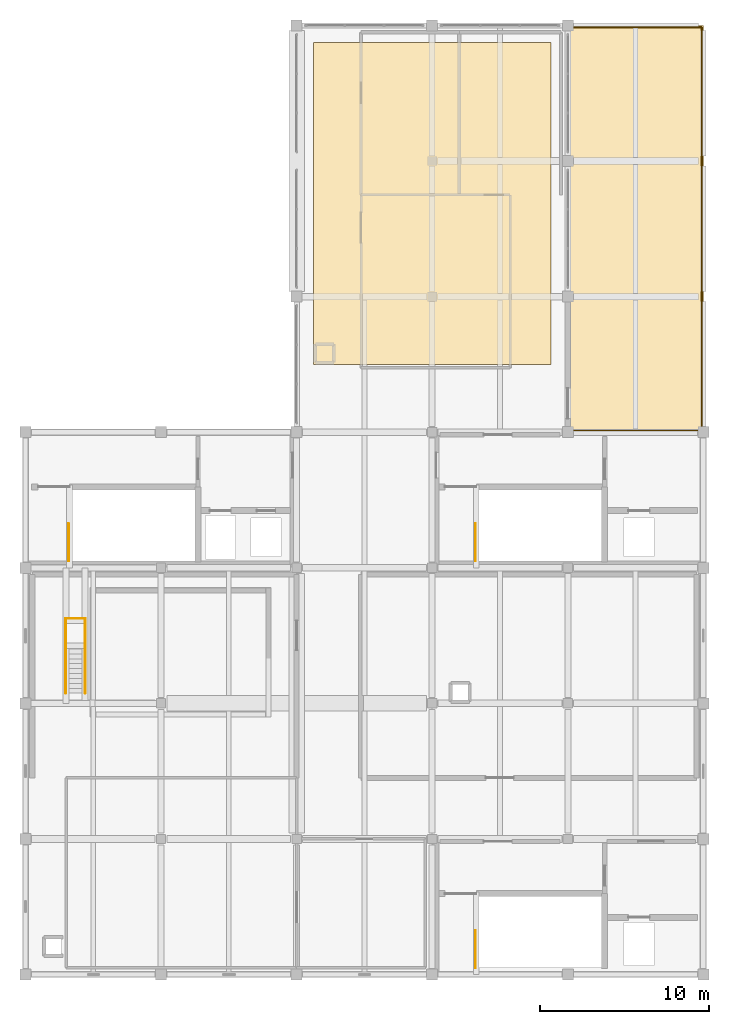
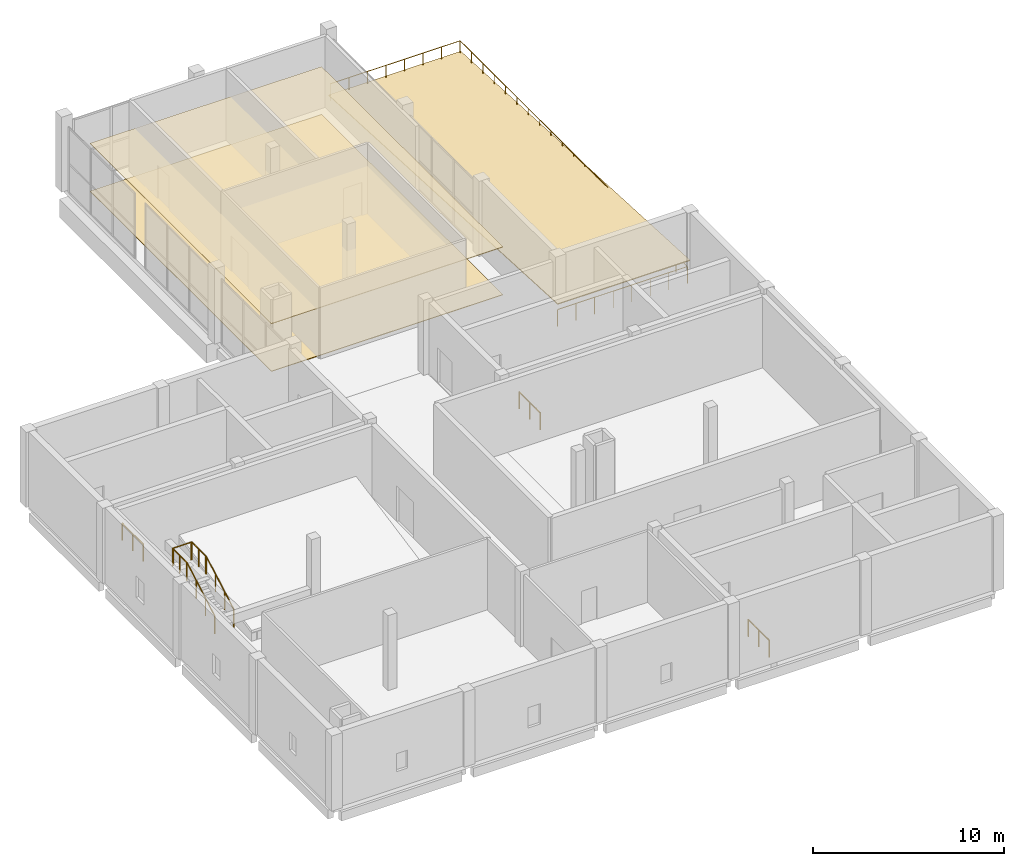
# One storey, part 8 of 8: 9 railings, 3 coverings.
"""IFC4 building model written with IfcOpenShell, lengths in metres."""

from ifc_helpers import new_model, si_unit, direction, frame, origin, origin_2d, place, context, subcontext, project, spatial, polyline, circle, outline, extrude, material, layer, layer_set, type_object, element, save


model = new_model("IFC4")

# Units and contexts
model_context = context("Model", 3, precision=1e-05, world=origin(), true_north=direction((0.0, 1.0)))
body_context = subcontext(model_context, "Body", "Model", "MODEL_VIEW")
ifc_project = project(units=[si_unit("LENGTHUNIT", "METRE"), si_unit("AREAUNIT", "SQUARE_METRE"), si_unit("VOLUMEUNIT", "CUBIC_METRE"), si_unit("PLANEANGLEUNIT", "RADIAN"), si_unit("MASSUNIT", "GRAM", prefix="KILO")], contexts=[model_context])

# Site, building, storey
site_placement = place(None, origin())
site = spatial("IfcSite", under=ifc_project, at=site_placement, CompositionType="ELEMENT")
building_placement = place(site_placement, origin())
building = spatial("IfcBuilding", under=site, at=building_placement, Name="Qorikala Patio Media Centre", CompositionType="ELEMENT")
storey_placement = place(building_placement, frame((0.0, 0.0, 27.89990234375)))
storey = spatial("IfcBuildingStorey", under=building, at=storey_placement, Name="L06", CompositionType="ELEMENT", Elevation=27.89990234375)

# Coverings
ifc_material_1 = material(Name="Perforated Andean Timber Acoustic Ceiling", Category="wood")
ifc_layer_1 = layer(ifc_material_1, 0.0400390625)
ifc_layer_set_1 = layer_set([ifc_layer_1], Name="Perforated Andean Timber Acoustic Ceiling")
covering_type_1 = type_object("IfcCoveringType", Name="COV-CEIL-AC", PredefinedType="CEILING", material=ifc_layer_set_1)
covering_1_placement = place(storey_placement, frame((0.0, 0.0, 3.050048828125)))
element("IfcCovering", 1, at=covering_1_placement, inside=storey, type_object=covering_type_1, Name="L06 Acoustic Timber Ceiling 12", PredefinedType="CEILING", context=body_context, shape_type="SweptSolid", body=[
    extrude(outline(polyline([(20.0, 39.0), (34.0, 39.0), (34.0, 58.0), (20.0, 58.0), (20.0, 39.0)])), origin(), (0.0, 0.0, 1.0), 0.0400390625),
])
ifc_material_2 = material(Name="Honed Comanche Granite Flooring", Category="masonry")
ifc_layer_2 = layer(ifc_material_2, 0.034912109375)
ifc_layer_set_2 = layer_set([ifc_layer_2], Name="Honed Comanche Granite Flooring")
covering_type_2 = type_object("IfcCoveringType", Name="COV-FLOR-STONE", PredefinedType="FLOORING", material=ifc_layer_set_2)
covering_2_placement = place(storey_placement, origin())
element("IfcCovering", 2, at=covering_2_placement, inside=storey, type_object=covering_type_2, Name="L06 Honed Comanche Granite Flooring 12", PredefinedType="FLOORING", context=body_context, shape_type="SweptSolid", body=[
    extrude(outline(polyline([(20.0, 39.0), (34.0, 39.0), (34.0, 58.0), (20.0, 58.0), (20.0, 39.0)])), origin(), (0.0, 0.0, 1.0), 0.03515625),
])
ifc_material_3 = material(Name="Spanish Terracotta Clay Tile", Category="masonry")
ifc_layer_3 = layer(ifc_material_3, 0.054931640625)
ifc_layer_set_3 = layer_set([ifc_layer_3], Name="Spanish Terracotta Clay Tile")
covering_type_3 = type_object("IfcCoveringType", Name="COV-ROOF-TILE", PredefinedType="ROOFING", material=ifc_layer_set_3)
covering_3_placement = place(storey_placement, frame((35.0, 59.0, 0.320068359375), z_axis=(0.0, 0.049935590044, 0.998752440221), x_axis=(1.0, 0.0, 0.0)))
element("IfcCovering", 3, at=covering_3_placement, inside=storey, type_object=covering_type_3, Name="L06 Terracotta Clay-Tile Loggia Roof RF-LOG-V6E", PredefinedType="ROOFING", context=body_context, shape_type="SweptSolid", body=[
    extrude(outline(polyline([(0.0, 0.0), (8.0, 0.0), (8.0, -24.029978835090223), (0.0, -24.029978835090223), (0.0, 0.0)])), origin(), (0.0, 0.0, -1.0), 0.054931640625),
])

# Railings
ifc_material_4 = material(Name="Spanish Colonial Wrought Bronze Balustrade")
railing_type_1 = type_object("IfcRailingType", Name="RL-BAL-110", PredefinedType="BALUSTRADE", material=ifc_material_4)
railing_1_placement = place(storey_placement, frame((35.050048828125, 35.10009765625, 0.0)))
element("IfcRailing", 4, at=railing_1_placement, inside=storey, type_object=railing_type_1, Name="L06 Outdoor Terrace Guardrail RL-L06-TERRACE", PredefinedType="BALUSTRADE", context=body_context, shape_type="SweptSolid", body=[
    extrude(circle(Radius=0.02392578125, at=origin_2d()), frame((0.0, 0.0, 1.076171875), z_axis=(1.0, 0.0, 0.0), x_axis=(0.0, 1.0, 0.0)), (0.0, 0.0, 1.0), 7.849853515625),
    extrude(circle(Radius=0.02392578125, at=origin_2d()), frame((7.849853515625, 0.0, 1.076171875), z_axis=(0.0, 1.0, 0.0), x_axis=(-1.0, 0.0, 0.0)), (0.0, 0.0, 1.0), 23.7998046875),
    extrude(circle(Radius=0.02392578125, at=origin_2d()), frame((7.849853515625, 23.7998046875, 1.076171875), z_axis=(-1.0, 0.0, 0.0), x_axis=(0.0, -1.0, 0.0)), (0.0, 0.0, 1.0), 7.849853515625),
    extrude(circle(Radius=0.02099609375, at=origin_2d()), origin(), (0.0, 0.0, 1.0), 1.052001953125),
    extrude(circle(Radius=0.02099609375, at=origin_2d()), frame((1.121337890625, 0.0, 0.0)), (0.0, 0.0, 1.0), 1.052001953125),
    extrude(circle(Radius=0.02099609375, at=origin_2d()), frame((2.242919921875, 0.0, 0.0)), (0.0, 0.0, 1.0), 1.052001953125),
    extrude(circle(Radius=0.02099609375, at=origin_2d()), frame((3.3642578125, 0.0, 0.0)), (0.0, 0.0, 1.0), 1.052001953125),
    extrude(circle(Radius=0.02099609375, at=origin_2d()), frame((4.485595703125, 0.0, 0.0)), (0.0, 0.0, 1.0), 1.052001953125),
    extrude(circle(Radius=0.02099609375, at=origin_2d()), frame((5.60693359375, 0.0, 0.0)), (0.0, 0.0, 1.0), 1.052001953125),
    extrude(circle(Radius=0.02099609375, at=origin_2d()), frame((6.728515625, 0.0, 0.0)), (0.0, 0.0, 1.0), 1.052001953125),
    extrude(circle(Radius=0.02099609375, at=origin_2d()), frame((7.849853515625, 0.0, 0.0)), (0.0, 0.0, 1.0), 1.052001953125),
    extrude(circle(Radius=0.02099609375, at=origin_2d()), frame((7.849853515625, 1.18994140625, 0.0)), (0.0, 0.0, 1.0), 1.052001953125),
    extrude(circle(Radius=0.02099609375, at=origin_2d()), frame((7.849853515625, 2.3798828125, 0.0)), (0.0, 0.0, 1.0), 1.052001953125),
    extrude(circle(Radius=0.02099609375, at=origin_2d()), frame((7.849853515625, 3.570068359375, 0.0)), (0.0, 0.0, 1.0), 1.052001953125),
    extrude(circle(Radius=0.02099609375, at=origin_2d()), frame((7.849853515625, 4.760009765625, 0.0)), (0.0, 0.0, 1.0), 1.052001953125),
    extrude(circle(Radius=0.02099609375, at=origin_2d()), frame((7.849853515625, 5.949951171875, 0.0)), (0.0, 0.0, 1.0), 1.052001953125),
    extrude(circle(Radius=0.02099609375, at=origin_2d()), frame((7.849853515625, 7.139892578125, 0.0)), (0.0, 0.0, 1.0), 1.052001953125),
    extrude(circle(Radius=0.02099609375, at=origin_2d()), frame((7.849853515625, 8.329833984375, 0.0)), (0.0, 0.0, 1.0), 1.052001953125),
    extrude(circle(Radius=0.02099609375, at=origin_2d()), frame((7.849853515625, 9.52001953125, 0.0)), (0.0, 0.0, 1.0), 1.052001953125),
    extrude(circle(Radius=0.02099609375, at=origin_2d()), frame((7.849853515625, 10.7099609375, 0.0)), (0.0, 0.0, 1.0), 1.052001953125),
    extrude(circle(Radius=0.02099609375, at=origin_2d()), frame((7.849853515625, 11.89990234375, 0.0)), (0.0, 0.0, 1.0), 1.052001953125),
    extrude(circle(Radius=0.02099609375, at=origin_2d()), frame((7.849853515625, 13.08984375, 0.0)), (0.0, 0.0, 1.0), 1.052001953125),
    extrude(circle(Radius=0.02099609375, at=origin_2d()), frame((7.849853515625, 14.27978515625, 0.0)), (0.0, 0.0, 1.0), 1.052001953125),
    extrude(circle(Radius=0.02099609375, at=origin_2d()), frame((7.849853515625, 15.469970703125, 0.0)), (0.0, 0.0, 1.0), 1.052001953125),
    extrude(circle(Radius=0.02099609375, at=origin_2d()), frame((7.849853515625, 16.659912109375, 0.0)), (0.0, 0.0, 1.0), 1.052001953125),
    extrude(circle(Radius=0.02099609375, at=origin_2d()), frame((7.849853515625, 17.849853515625, 0.0)), (0.0, 0.0, 1.0), 1.052001953125),
    extrude(circle(Radius=0.02099609375, at=origin_2d()), frame((7.849853515625, 19.039794921875, 0.0)), (0.0, 0.0, 1.0), 1.052001953125),
    extrude(circle(Radius=0.02099609375, at=origin_2d()), frame((7.849853515625, 20.229736328125, 0.0)), (0.0, 0.0, 1.0), 1.052001953125),
    extrude(circle(Radius=0.02099609375, at=origin_2d()), frame((7.849853515625, 21.419921875, 0.0)), (0.0, 0.0, 1.0), 1.052001953125),
    extrude(circle(Radius=0.02099609375, at=origin_2d()), frame((7.849853515625, 22.60986328125, 0.0)), (0.0, 0.0, 1.0), 1.052001953125),
    extrude(circle(Radius=0.02099609375, at=origin_2d()), frame((7.849853515625, 23.7998046875, 0.0)), (0.0, 0.0, 1.0), 1.052001953125),
    extrude(circle(Radius=0.02099609375, at=origin_2d()), frame((6.728515625, 23.7998046875, 0.0)), (0.0, 0.0, 1.0), 1.052001953125),
    extrude(circle(Radius=0.02099609375, at=origin_2d()), frame((5.60693359375, 23.7998046875, 0.0)), (0.0, 0.0, 1.0), 1.052001953125),
    extrude(circle(Radius=0.02099609375, at=origin_2d()), frame((4.485595703125, 23.7998046875, 0.0)), (0.0, 0.0, 1.0), 1.052001953125),
    extrude(circle(Radius=0.02099609375, at=origin_2d()), frame((3.3642578125, 23.7998046875, 0.0)), (0.0, 0.0, 1.0), 1.052001953125),
    extrude(circle(Radius=0.02099609375, at=origin_2d()), frame((2.242919921875, 23.7998046875, 0.0)), (0.0, 0.0, 1.0), 1.052001953125),
    extrude(circle(Radius=0.02099609375, at=origin_2d()), frame((1.121337890625, 23.7998046875, 0.0)), (0.0, 0.0, 1.0), 1.052001953125),
    extrude(circle(Radius=0.02099609375, at=origin_2d()), frame((0.0, 23.7998046875, 0.0)), (0.0, 0.0, 1.0), 1.052001953125),
])
ifc_material_5 = material(Name="Wrought Bronze and Steel S355", Category="steel")
railing_type_2 = type_object("IfcRailingType", Name="RL-GUARD-110", PredefinedType="GUARDRAIL", material=ifc_material_5)
for number, where, name in (
    (5, (29.550048828125, 3.39990234375, 0.0), "L06 ST-1 top well guard 1"),
    (6, (5.550048828125, 27.39990234375, 0.0), "L06 ST-2 top well guard 1"),
    (7, (29.550048828125, 27.39990234375, 0.0), "L06 ST-5 top well guard 1"),
):
    element("IfcRailing", number, at=place(storey_placement, frame(where)), inside=storey, type_object=railing_type_2, Name=name, PredefinedType="GUARDRAIL", context=body_context, shape_type="SweptSolid", body=[
        extrude(circle(Radius=0.02392578125, at=origin_2d()), frame((0.0, 0.0, 1.076171875), z_axis=(0.0, 1.0, 0.0), x_axis=(-1.0, 0.0, 0.0)), (0.0, 0.0, 1.0), 2.2001953125),
        extrude(circle(Radius=0.02099609375, at=origin_2d()), origin(), (0.0, 0.0, 1.0), 1.052001953125),
        extrude(circle(Radius=0.02099609375, at=origin_2d()), frame((0.0, 1.10009765625, 0.0)), (0.0, 0.0, 1.0), 1.052001953125),
        extrude(circle(Radius=0.02099609375, at=origin_2d()), frame((0.0, 2.2001953125, 0.0)), (0.0, 0.0, 1.0), 1.052001953125),
    ])
ifc_material_6 = material(Name="Wrought Bronze Baluster Guardrail")
railing_type_3 = type_object("IfcRailingType", Name="RL-TERR-115", PredefinedType="GUARDRAIL", material=ifc_material_6)
for number, where, name in (
    (8, (5.3701171875, 19.60009765625, 0.163818359375), "Vomitory Stair VS-08 Flight Guard L"),
    (9, (6.530029296875, 19.60009765625, 0.163818359375), "Vomitory Stair VS-08 Flight Guard R"),
):
    element("IfcRailing", number, at=place(storey_placement, frame(where)), inside=storey, type_object=railing_type_3, Name=name, PredefinedType="GUARDRAIL", context=body_context, shape_type="SweptSolid", body=[
        extrude(circle(Radius=0.02392578125, at=origin_2d()), frame((0.0, 0.0, 1.1259765625), z_axis=(0.0, 0.870928581787, 0.491409610636), x_axis=(-1.0, 0.0, 0.0)), (0.0, 0.0, 1.0), 3.32958984375),
        extrude(circle(Radius=0.02099609375, at=origin_2d()), origin(), (0.0, 0.0, 1.0), 1.101806640625),
        extrude(circle(Radius=0.02099609375, at=origin_2d()), frame((0.0, 0.966552734375, 0.54541015625)), (0.0, 0.0, 1.0), 1.101806640625),
        extrude(circle(Radius=0.02099609375, at=origin_2d()), frame((0.0, 1.933349609375, 1.0908203125)), (0.0, 0.0, 1.0), 1.101806640625),
        extrude(circle(Radius=0.02099609375, at=origin_2d()), frame((0.0, 2.89990234375, 1.63623046875)), (0.0, 0.0, 1.0), 1.101806640625),
    ])
railing_2_placement = place(storey_placement, frame((5.3701171875, 22.5400390625, 1.800048828125)))
element("IfcRailing", 10, at=railing_2_placement, inside=storey, type_object=railing_type_3, Name="Vomitory VS-08 Landing Guard W", PredefinedType="GUARDRAIL", context=body_context, shape_type="SweptSolid", body=[
    extrude(circle(Radius=0.02392578125, at=origin_2d()), frame((0.0, 0.0, 1.1259765625), z_axis=(0.0, 1.0, 0.0), x_axis=(-1.0, 0.0, 0.0)), (0.0, 0.0, 1.0), 1.469970703125),
    extrude(circle(Radius=0.02099609375, at=origin_2d()), origin(), (0.0, 0.0, 1.0), 1.101806640625),
    extrude(circle(Radius=0.02099609375, at=origin_2d()), frame((0.0, 0.73486328125, 0.0)), (0.0, 0.0, 1.0), 1.101806640625),
    extrude(circle(Radius=0.02099609375, at=origin_2d()), frame((0.0, 1.469970703125, 0.0)), (0.0, 0.0, 1.0), 1.101806640625),
])
railing_3_placement = place(storey_placement, frame((5.409912109375, 24.010009765625, 1.800048828125)))
element("IfcRailing", 11, at=railing_3_placement, inside=storey, type_object=railing_type_3, Name="Vomitory VS-08 Landing Guard N", PredefinedType="GUARDRAIL", context=body_context, shape_type="SweptSolid", body=[
    extrude(circle(Radius=0.02392578125, at=origin_2d()), frame((0.0, 0.0, 1.1259765625), z_axis=(1.0, 0.0, 0.0), x_axis=(0.0, 1.0, 0.0)), (0.0, 0.0, 1.0), 1.080078125),
    extrude(circle(Radius=0.02099609375, at=origin_2d()), origin(), (0.0, 0.0, 1.0), 1.101806640625),
    extrude(circle(Radius=0.02099609375, at=origin_2d()), frame((1.080078125, 0.0, 0.0)), (0.0, 0.0, 1.0), 1.101806640625),
])
railing_4_placement = place(storey_placement, frame((6.530029296875, 24.010009765625, 1.800048828125)))
element("IfcRailing", 12, at=railing_4_placement, inside=storey, type_object=railing_type_3, Name="Vomitory VS-08 Landing Guard E", PredefinedType="GUARDRAIL", context=body_context, shape_type="SweptSolid", body=[
    extrude(circle(Radius=0.02392578125, at=origin_2d()), frame((0.0, 0.0, 1.1259765625), z_axis=(0.0, -1.0, 0.0), x_axis=(1.0, 0.0, 0.0)), (0.0, 0.0, 1.0), 1.469970703125),
    extrude(circle(Radius=0.02099609375, at=origin_2d()), origin(), (0.0, 0.0, 1.0), 1.101806640625),
    extrude(circle(Radius=0.02099609375, at=origin_2d()), frame((0.0, -0.73486328125, 0.0)), (0.0, 0.0, 1.0), 1.101806640625),
    extrude(circle(Radius=0.02099609375, at=origin_2d()), frame((0.0, -1.469970703125, 0.0)), (0.0, 0.0, 1.0), 1.101806640625),
])

save(model, "model.ifc")
